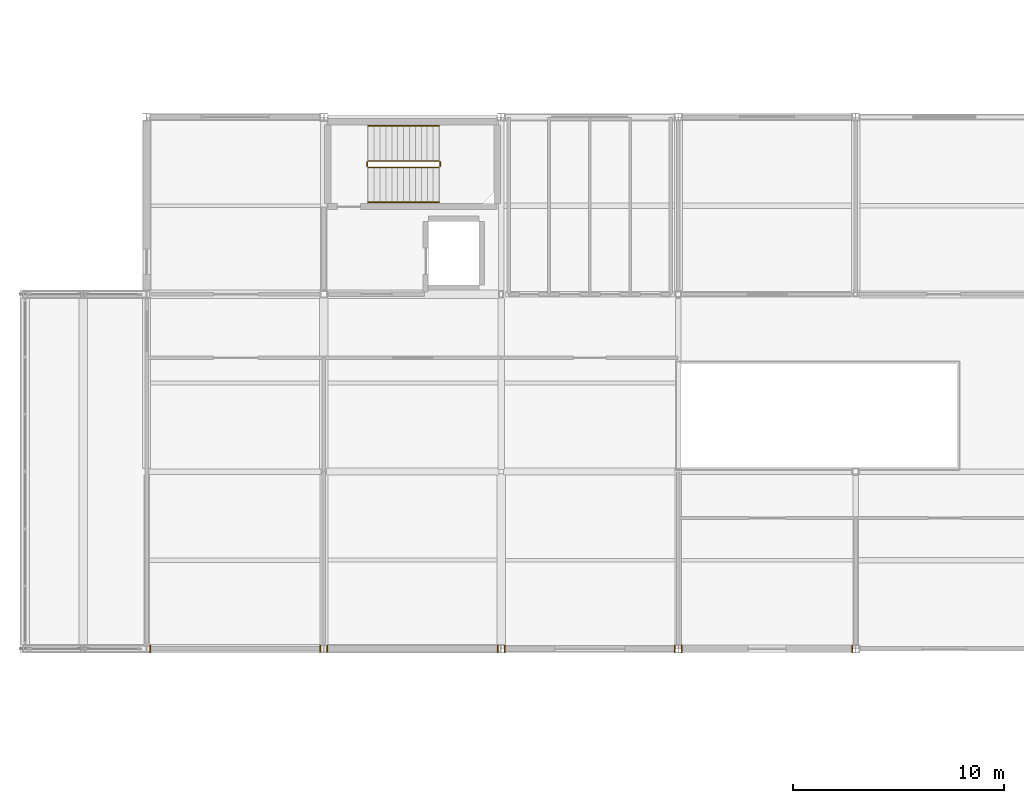
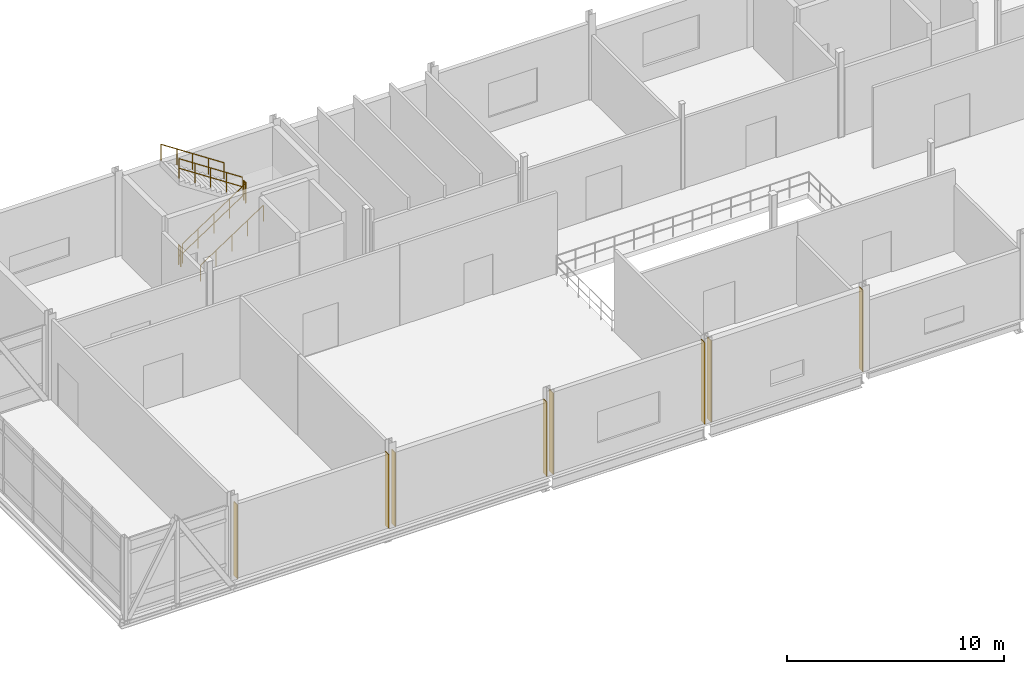
# One storey, part 37 of 45: 8 coverings, 6 railings.
"""IFC4 building model written with IfcOpenShell, lengths in metres."""

from ifc_helpers import new_model, si_unit, direction, frame, origin, origin_2d, place, context, subcontext, project, spatial, polyline, circle, outline, extrude, material, layer, layer_set, type_object, element, save


model = new_model("IFC4")

# Units and contexts
model_context = context("Model", 3, precision=1e-05, world=origin(), true_north=direction((0.0, 1.0)))
body_context = subcontext(model_context, "Body", "Model", "MODEL_VIEW")
ifc_project = project(units=[si_unit("LENGTHUNIT", "METRE"), si_unit("AREAUNIT", "SQUARE_METRE"), si_unit("VOLUMEUNIT", "CUBIC_METRE"), si_unit("PLANEANGLEUNIT", "RADIAN"), si_unit("MASSUNIT", "GRAM", prefix="KILO")], contexts=[model_context])

# Site, building, storey
site_placement = place(None, origin())
site = spatial("IfcSite", under=ifc_project, at=site_placement, CompositionType="ELEMENT")
building_placement = place(site_placement, origin())
building = spatial("IfcBuilding", under=site, at=building_placement, Name="Calvrana Isthmian Art Gallery", CompositionType="ELEMENT")
storey_placement = place(building_placement, frame((0.0, 0.0, 19.800048828125)))
storey = spatial("IfcBuildingStorey", under=building, at=storey_placement, Name="L04", CompositionType="ELEMENT", Elevation=19.800048828125)

# Coverings
ifc_material_1 = material(Name="Polychrome glazed terracotta", Category="masonry")
ifc_layer = layer(ifc_material_1, 0.0400390625, Name="Polychrome glazed terracotta")
ifc_layer_set = layer_set([ifc_layer], Name="Polychrome glazed terracotta")
covering_type = type_object("IfcCoveringType", Name="COV-CLAD-TERRA", PredefinedType="CLADDING", material=ifc_layer_set)
covering_1_placement = place(storey_placement, origin())
element("IfcCovering", 1, at=covering_1_placement, inside=storey, type_object=covering_type, Name="Column pocket weather closure L04-03-03-W", PredefinedType="CLADDING", context=body_context, shape_type="SweptSolid", body=[
    extrude(outline(polyline([(21.74560546875, 21.423583984375), (21.785400390625, 21.423583984375), (21.785400390625, 21.776611328125), (21.74560546875, 21.776611328125), (21.74560546875, 21.423583984375)])), origin(), (0.0, 0.0, 1.0), 4.160888671875),
])
covering_2_placement = place(storey_placement, origin())
element("IfcCovering", 2, at=covering_2_placement, inside=storey, type_object=covering_type, Name="Column pocket weather closure L04-03-03-E", PredefinedType="CLADDING", context=body_context, shape_type="SweptSolid", body=[
    extrude(outline(polyline([(29.81591796875, 21.427001953125), (29.85595703125, 21.427001953125), (29.85595703125, 21.77294921875), (29.81591796875, 21.77294921875), (29.81591796875, 21.427001953125)])), origin(), (0.0, 0.0, 1.0), 4.160888671875),
])
covering_3_placement = place(storey_placement, origin())
element("IfcCovering", 3, at=covering_3_placement, inside=storey, type_object=covering_type, Name="Column pocket weather closure L04-04-03-W", PredefinedType="CLADDING", context=body_context, shape_type="SweptSolid", body=[
    extrude(outline(polyline([(30.14404296875, 21.427001953125), (30.18408203125, 21.427001953125), (30.18408203125, 21.77294921875), (30.14404296875, 21.77294921875), (30.14404296875, 21.427001953125)])), origin(), (0.0, 0.0, 1.0), 4.160888671875),
])
covering_4_placement = place(storey_placement, origin())
element("IfcCovering", 4, at=covering_4_placement, inside=storey, type_object=covering_type, Name="Column pocket weather closure L04-04-03-E", PredefinedType="CLADDING", context=body_context, shape_type="SweptSolid", body=[
    extrude(outline(polyline([(38.21337890625, 21.41845703125), (38.25341796875, 21.41845703125), (38.25341796875, 21.781494140625), (38.21337890625, 21.781494140625), (38.21337890625, 21.41845703125)])), origin(), (0.0, 0.0, 1.0), 4.160888671875),
])
covering_5_placement = place(storey_placement, origin())
element("IfcCovering", 5, at=covering_5_placement, inside=storey, type_object=covering_type, Name="Column pocket weather closure L04-05-03-W", PredefinedType="CLADDING", context=body_context, shape_type="SweptSolid", body=[
    extrude(outline(polyline([(38.54638671875, 21.41845703125), (38.58642578125, 21.41845703125), (38.58642578125, 21.781494140625), (38.54638671875, 21.781494140625), (38.54638671875, 21.41845703125)])), origin(), (0.0, 0.0, 1.0), 4.579833984375),
])
covering_6_placement = place(storey_placement, origin())
element("IfcCovering", 6, at=covering_6_placement, inside=storey, type_object=covering_type, Name="Column pocket weather closure L04-05-03-E", PredefinedType="CLADDING", context=body_context, shape_type="SweptSolid", body=[
    extrude(outline(polyline([(46.613525390625, 21.4208984375), (46.653564453125, 21.4208984375), (46.653564453125, 21.779052734375), (46.613525390625, 21.779052734375), (46.613525390625, 21.4208984375)])), origin(), (0.0, 0.0, 1.0), 4.579833984375),
])
covering_7_placement = place(storey_placement, origin())
element("IfcCovering", 7, at=covering_7_placement, inside=storey, type_object=covering_type, Name="Column pocket weather closure L04-06-03-W", PredefinedType="CLADDING", context=body_context, shape_type="SweptSolid", body=[
    extrude(outline(polyline([(46.946533203125, 21.4208984375), (46.986572265625, 21.4208984375), (46.986572265625, 21.779052734375), (46.946533203125, 21.779052734375), (46.946533203125, 21.4208984375)])), origin(), (0.0, 0.0, 1.0), 4.579833984375),
])
covering_8_placement = place(storey_placement, origin())
element("IfcCovering", 8, at=covering_8_placement, inside=storey, type_object=covering_type, Name="Column pocket weather closure L04-06-03-E", PredefinedType="CLADDING", context=body_context, shape_type="SweptSolid", body=[
    extrude(outline(polyline([(55.014404296875, 21.423583984375), (55.054443359375, 21.423583984375), (55.054443359375, 21.776611328125), (55.014404296875, 21.776611328125), (55.014404296875, 21.423583984375)])), origin(), (0.0, 0.0, 1.0), 4.579833984375),
])

# Railings
ifc_material_2 = material(Name="Stainless steel 316", Category="steel")
railing_type_1 = type_object("IfcRailingType", Name="RL-GUARD-1120", PredefinedType="BALUSTRADE", material=ifc_material_2)
railing_1_placement = place(storey_placement, frame((32.10009765625, 44.419921875, 0.1845703125)))
element("IfcRailing", 9, at=railing_1_placement, inside=storey, type_object=railing_type_1, Name="Stair ST-1 guard L04-1", PredefinedType="BALUSTRADE", context=body_context, shape_type="SweptSolid", body=[
    extrude(circle(Radius=0.02392578125, at=origin_2d()), frame((0.0, 0.0, 1.09619140625), z_axis=(0.834858096282, 0.0, 0.550465220583), x_axis=(0.0, 1.0, 0.0)), (0.0, 0.0, 1.0), 4.0244140625),
    extrude(circle(Radius=0.02392578125, at=origin_2d()), frame((0.0, 0.0, 0.56005859375), z_axis=(0.834858096282, 0.0, 0.550465220583), x_axis=(0.0, 1.0, 0.0)), (0.0, 0.0, 1.0), 4.0244140625),
    extrude(circle(Radius=0.02099609375, at=origin_2d()), origin(), (0.0, 0.0, 1.0), 1.072021484375),
    extrude(circle(Radius=0.02099609375, at=origin_2d()), frame((0.83984375, 0.0, 0.5537109375)), (0.0, 0.0, 1.0), 1.072021484375),
    extrude(circle(Radius=0.02099609375, at=origin_2d()), frame((1.679931640625, 0.0, 1.107666015625)), (0.0, 0.0, 1.0), 1.072021484375),
    extrude(circle(Radius=0.02099609375, at=origin_2d()), frame((2.52001953125, 0.0, 1.66162109375)), (0.0, 0.0, 1.0), 1.072021484375),
    extrude(circle(Radius=0.02099609375, at=origin_2d()), frame((3.35986328125, 0.0, 2.21533203125)), (0.0, 0.0, 1.0), 1.072021484375),
])
railing_2_placement = place(storey_placement, frame((35.510009765625, 44.469970703125, 2.39990234375)))
element("IfcRailing", 10, at=railing_2_placement, inside=storey, type_object=railing_type_1, Name="Stair ST-1 guard L04-2", PredefinedType="BALUSTRADE", context=body_context, shape_type="SweptSolid", body=[
    extrude(circle(Radius=0.02392578125, at=origin_2d()), frame((0.0, 0.0, 1.09619140625), z_axis=(0.0, 1.0, 0.0), x_axis=(-1.0, 0.0, 0.0)), (0.0, 0.0, 1.0), 0.199951171875),
    extrude(circle(Radius=0.02392578125, at=origin_2d()), frame((0.0, 0.0, 0.56005859375), z_axis=(0.0, 1.0, 0.0), x_axis=(-1.0, 0.0, 0.0)), (0.0, 0.0, 1.0), 0.199951171875),
    extrude(circle(Radius=0.02099609375, at=origin_2d()), origin(), (0.0, 0.0, 1.0), 1.072021484375),
    extrude(circle(Radius=0.02099609375, at=origin_2d()), frame((0.0, 0.199951171875, 0.0)), (0.0, 0.0, 1.0), 1.072021484375),
])
railing_3_placement = place(storey_placement, frame((35.4599609375, 44.719970703125, 2.58447265625)))
element("IfcRailing", 11, at=railing_3_placement, inside=storey, type_object=railing_type_1, Name="Stair ST-1 guard L04-3", PredefinedType="BALUSTRADE", context=body_context, shape_type="SweptSolid", body=[
    extrude(circle(Radius=0.02392578125, at=origin_2d()), frame((0.0, 0.0, 1.09619140625), z_axis=(-0.83483021737, 0.0, 0.550507500554), x_axis=(0.0, -1.0, 0.0)), (0.0, 0.0, 1.0), 4.024658203125),
    extrude(circle(Radius=0.02392578125, at=origin_2d()), frame((0.0, 0.0, 0.56005859375), z_axis=(-0.83483021737, 0.0, 0.550507500554), x_axis=(0.0, -1.0, 0.0)), (0.0, 0.0, 1.0), 4.024658203125),
    extrude(circle(Radius=0.02099609375, at=origin_2d()), origin(), (0.0, 0.0, 1.0), 1.072021484375),
    extrude(circle(Radius=0.02099609375, at=origin_2d()), frame((-0.83984375, 0.0, 0.553955078125)), (0.0, 0.0, 1.0), 1.072021484375),
    extrude(circle(Radius=0.02099609375, at=origin_2d()), frame((-1.679931640625, 0.0, 1.10791015625)), (0.0, 0.0, 1.0), 1.072021484375),
    extrude(circle(Radius=0.02099609375, at=origin_2d()), frame((-2.52001953125, 0.0, 1.66162109375)), (0.0, 0.0, 1.0), 1.072021484375),
    extrude(circle(Radius=0.02099609375, at=origin_2d()), frame((-3.35986328125, 0.0, 2.215576171875)), (0.0, 0.0, 1.0), 1.072021484375),
])
railing_4_placement = place(storey_placement, frame((32.050048828125, 44.469970703125, 0.0)))
element("IfcRailing", 12, at=railing_4_placement, inside=storey, type_object=railing_type_1, Name="Stair ST-1 guard L04-4", PredefinedType="BALUSTRADE", context=body_context, shape_type="SweptSolid", body=[
    extrude(circle(Radius=0.02392578125, at=origin_2d()), frame((0.0, 0.0, 1.09619140625), z_axis=(0.0, 1.0, 0.0), x_axis=(-1.0, 0.0, 0.0)), (0.0, 0.0, 1.0), 0.199951171875),
    extrude(circle(Radius=0.02392578125, at=origin_2d()), frame((0.0, 0.0, 0.56005859375), z_axis=(0.0, 1.0, 0.0), x_axis=(-1.0, 0.0, 0.0)), (0.0, 0.0, 1.0), 0.199951171875),
    extrude(circle(Radius=0.02099609375, at=origin_2d()), origin(), (0.0, 0.0, 1.0), 1.072021484375),
    extrude(circle(Radius=0.02099609375, at=origin_2d()), frame((0.0, 0.199951171875, 0.0)), (0.0, 0.0, 1.0), 1.072021484375),
])
railing_type_2 = type_object("IfcRailingType", Name="RL-HAND-920", PredefinedType="HANDRAIL", material=ifc_material_2)
railing_5_placement = place(storey_placement, frame((32.10009765625, 42.760009765625, 0.1845703125)))
element("IfcRailing", 13, at=railing_5_placement, inside=storey, type_object=railing_type_2, Name="Stair ST-1 handrail L04-1", PredefinedType="HANDRAIL", context=body_context, shape_type="SweptSolid", body=[
    extrude(circle(Radius=0.02392578125, at=origin_2d()), frame((0.0, 0.0, 0.89599609375), z_axis=(0.834858096282, 0.0, 0.550465220583), x_axis=(0.0, 1.0, 0.0)), (0.0, 0.0, 1.0), 4.0244140625),
    extrude(circle(Radius=0.02099609375, at=origin_2d()), origin(), (0.0, 0.0, 1.0), 0.871826171875),
    extrude(circle(Radius=0.02099609375, at=origin_2d()), frame((0.83984375, 0.0, 0.5537109375)), (0.0, 0.0, 1.0), 0.871826171875),
    extrude(circle(Radius=0.02099609375, at=origin_2d()), frame((1.679931640625, 0.0, 1.107666015625)), (0.0, 0.0, 1.0), 0.871826171875),
    extrude(circle(Radius=0.02099609375, at=origin_2d()), frame((2.52001953125, 0.0, 1.66162109375)), (0.0, 0.0, 1.0), 0.871826171875),
    extrude(circle(Radius=0.02099609375, at=origin_2d()), frame((3.35986328125, 0.0, 2.21533203125)), (0.0, 0.0, 1.0), 0.871826171875),
])
railing_6_placement = place(storey_placement, frame((35.4599609375, 46.3798828125, 2.58447265625)))
element("IfcRailing", 14, at=railing_6_placement, inside=storey, type_object=railing_type_2, Name="Stair ST-1 handrail L04-2", PredefinedType="HANDRAIL", context=body_context, shape_type="SweptSolid", body=[
    extrude(circle(Radius=0.02392578125, at=origin_2d()), frame((0.0, 0.0, 0.89599609375), z_axis=(-0.83483021737, 0.0, 0.550507500554), x_axis=(0.0, -1.0, 0.0)), (0.0, 0.0, 1.0), 4.024658203125),
    extrude(circle(Radius=0.02099609375, at=origin_2d()), origin(), (0.0, 0.0, 1.0), 0.871826171875),
    extrude(circle(Radius=0.02099609375, at=origin_2d()), frame((-0.83984375, 0.0, 0.553955078125)), (0.0, 0.0, 1.0), 0.871826171875),
    extrude(circle(Radius=0.02099609375, at=origin_2d()), frame((-1.679931640625, 0.0, 1.10791015625)), (0.0, 0.0, 1.0), 0.871826171875),
    extrude(circle(Radius=0.02099609375, at=origin_2d()), frame((-2.52001953125, 0.0, 1.66162109375)), (0.0, 0.0, 1.0), 0.871826171875),
    extrude(circle(Radius=0.02099609375, at=origin_2d()), frame((-3.35986328125, 0.0, 2.215576171875)), (0.0, 0.0, 1.0), 0.871826171875),
])

save(model, "model.ifc")
